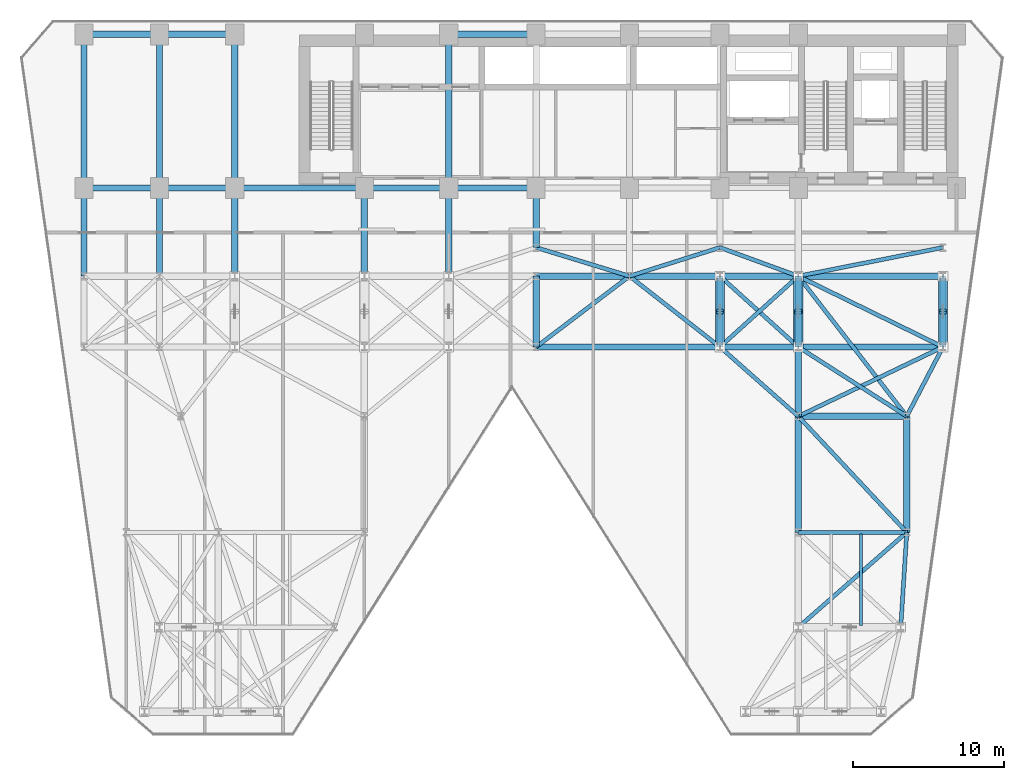
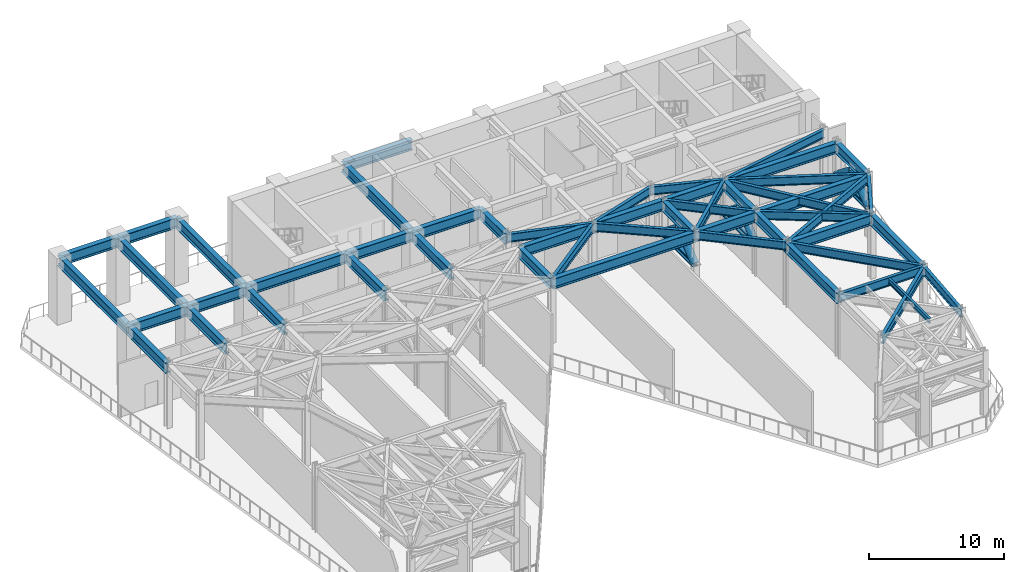
# One storey, part 3 of 12: 52 beams, 9 members.
"""IFC4 building model written with IfcOpenShell, lengths in metres."""

from ifc_helpers import new_model, si_unit, direction, frame, origin, origin_2d, place, context, subcontext, project, spatial, hollow_circle, i_section, extrude, material, material_profile, profile_set, type_object, element, save


model = new_model("IFC4")

# Units and contexts
model_context = context("Model", 3, precision=1e-05, world=origin(), true_north=direction((0.0, 1.0)))
body_context = subcontext(model_context, "Body", "Model", "MODEL_VIEW")
ifc_project = project(units=[si_unit("LENGTHUNIT", "METRE"), si_unit("AREAUNIT", "SQUARE_METRE"), si_unit("VOLUMEUNIT", "CUBIC_METRE"), si_unit("PLANEANGLEUNIT", "RADIAN"), si_unit("MASSUNIT", "GRAM", prefix="KILO")], contexts=[model_context])

# Site, building, storey
site_placement = place(None, origin())
site = spatial("IfcSite", under=ifc_project, at=site_placement, CompositionType="ELEMENT")
building_placement = place(site_placement, origin())
building = spatial("IfcBuilding", under=site, at=building_placement, Name="Kravanh Interchange Tower", CompositionType="ELEMENT")
storey_placement = place(building_placement, frame((0.0, 0.0, 85.5)))
storey = spatial("IfcBuildingStorey", under=building, at=storey_placement, Name="L20", CompositionType="ELEMENT", Elevation=85.5)

# Beams
ifc_material_1 = material(Name="Structural Steel S355", Category="steel")
ifc_material_profile_1 = material_profile(ifc_material_1, i_section(OverallWidth=0.41796875, OverallDepth=0.927001953125, WebThickness=0.019287109375, FlangeThickness=0.031982421875, FilletRadius=0.028076171875, at=origin_2d()), Name="W36X231")
ifc_profile_set_1 = profile_set([ifc_material_profile_1], Name="Structural Steel S355")
beam_type_1 = type_object("IfcBeamType", Name="Floor Beam W36X231 Structural Steel S355", PredefinedType="BEAM", material=ifc_profile_set_1)
beam_1_placement = place(storey_placement, frame((38.60009765625, 37.35009765625, 5.281494140625), z_axis=(0.0, -1.0, 0.0), x_axis=(1.0, 0.0, 0.0)))
element("IfcBeam", 1, at=beam_1_placement, inside=storey, type_object=beam_type_1, Name="L20 Primary Floor Girder 16", PredefinedType="BEAM", context=body_context, shape_type="SweptSolid", body=[
    extrude(i_section(OverallWidth=0.41796875, OverallDepth=0.927001953125, WebThickness=0.019287109375, FlangeThickness=0.031982421875, FilletRadius=0.028076171875, at=origin_2d()), origin(), (0.0, 0.0, 1.0), 3.9501953125),
])
for number, where, z_axis, x_axis, name in (
    (2, (38.60009765625, 37.35009765625, 5.281494140625), (-1.0, 0.0, 0.0), (0.0, -1.0, 0.0), "L20 Primary Floor Girder 17"),
    (3, (38.60009765625, 47.550048828125, 5.281494140625), (-1.0, 0.0, 0.0), (0.0, -1.0, 0.0), "L20 Primary Floor Girder 19"),
):
    element("IfcBeam", number, at=place(storey_placement, frame(where, z_axis=z_axis, x_axis=x_axis)), inside=storey, type_object=beam_type_1, Name=name, PredefinedType="BEAM", context=body_context, shape_type="SweptSolid", body=[
        extrude(i_section(OverallWidth=0.41796875, OverallDepth=0.927001953125, WebThickness=0.019287109375, FlangeThickness=0.031982421875, FilletRadius=0.028076171875, at=origin_2d()), origin(), (0.0, 0.0, 1.0), 5.800048828125),
    ])
beam_2_placement = place(storey_placement, frame((32.800048828125, 37.35009765625, 5.281494140625), z_axis=(-1.0, 0.0, 0.0), x_axis=(0.0, -1.0, 0.0)))
element("IfcBeam", 4, at=beam_2_placement, inside=storey, type_object=beam_type_1, Name="L20 Primary Floor Girder 20", PredefinedType="BEAM", context=body_context, shape_type="SweptSolid", body=[
    extrude(i_section(OverallWidth=0.41796875, OverallDepth=0.927001953125, WebThickness=0.019287109375, FlangeThickness=0.031982421875, FilletRadius=0.028076171875, at=origin_2d()), origin(), (0.0, 0.0, 1.0), 5.60009765625),
])
beam_3_placement = place(storey_placement, frame((32.800048828125, 37.35009765625, 5.281494140625), z_axis=(0.0, -1.0, 0.0), x_axis=(1.0, 0.0, 0.0)))
element("IfcBeam", 5, at=beam_3_placement, inside=storey, type_object=beam_type_1, Name="L20 Primary Floor Girder 21", PredefinedType="BEAM", context=body_context, shape_type="SweptSolid", body=[
    extrude(i_section(OverallWidth=0.41796875, OverallDepth=0.927001953125, WebThickness=0.019287109375, FlangeThickness=0.031982421875, FilletRadius=0.028076171875, at=origin_2d()), origin(), (0.0, 0.0, 1.0), 5.85009765625),
])
beam_4_placement = place(storey_placement, frame((32.800048828125, 37.35009765625, 5.281494140625), z_axis=(0.0, 1.0, 0.0), x_axis=(-1.0, 0.0, 0.0)))
element("IfcBeam", 6, at=beam_4_placement, inside=storey, type_object=beam_type_1, Name="L20 Primary Floor Girder 22", PredefinedType="BEAM", context=body_context, shape_type="SweptSolid", body=[
    extrude(i_section(OverallWidth=0.41796875, OverallDepth=0.927001953125, WebThickness=0.019287109375, FlangeThickness=0.031982421875, FilletRadius=0.028076171875, at=origin_2d()), origin(), (0.0, 0.0, 1.0), 10.199951171875),
])
beam_5_placement = place(storey_placement, frame((27.199951171875, 37.35009765625, 5.281494140625), z_axis=(0.0, -1.0, 0.0), x_axis=(1.0, 0.0, 0.0)))
element("IfcBeam", 7, at=beam_5_placement, inside=storey, type_object=beam_type_1, Name="L20 Primary Floor Girder 24", PredefinedType="BEAM", context=body_context, shape_type="SweptSolid", body=[
    extrude(i_section(OverallWidth=0.41796875, OverallDepth=0.927001953125, WebThickness=0.019287109375, FlangeThickness=0.031982421875, FilletRadius=0.028076171875, at=origin_2d()), origin(), (0.0, 0.0, 1.0), 5.85009765625),
])
beam_6_placement = place(storey_placement, frame((27.199951171875, 37.35009765625, 5.281494140625), z_axis=(-1.0, 0.0, 0.0), x_axis=(0.0, -1.0, 0.0)))
element("IfcBeam", 8, at=beam_6_placement, inside=storey, type_object=beam_type_1, Name="L20 Primary Floor Girder 25", PredefinedType="BEAM", context=body_context, shape_type="SweptSolid", body=[
    extrude(i_section(OverallWidth=0.41796875, OverallDepth=0.927001953125, WebThickness=0.019287109375, FlangeThickness=0.031982421875, FilletRadius=0.028076171875, at=origin_2d()), origin(), (0.0, 0.0, 1.0), 8.599853515625),
])
beam_7_placement = place(storey_placement, frame((18.60009765625, 37.35009765625, 5.281494140625), z_axis=(-1.0, 0.0, 0.0), x_axis=(0.0, -1.0, 0.0)))
element("IfcBeam", 9, at=beam_7_placement, inside=storey, type_object=beam_type_1, Name="L20 Primary Floor Girder 28", PredefinedType="BEAM", context=body_context, shape_type="SweptSolid", body=[
    extrude(i_section(OverallWidth=0.41796875, OverallDepth=0.927001953125, WebThickness=0.019287109375, FlangeThickness=0.031982421875, FilletRadius=0.028076171875, at=origin_2d()), origin(), (0.0, 0.0, 1.0), 5.0),
])
beam_8_placement = place(storey_placement, frame((18.60009765625, 37.35009765625, 5.281494140625), z_axis=(0.0, -1.0, 0.0), x_axis=(1.0, 0.0, 0.0)))
element("IfcBeam", 10, at=beam_8_placement, inside=storey, type_object=beam_type_1, Name="L20 Primary Floor Girder 29", PredefinedType="BEAM", context=body_context, shape_type="SweptSolid", body=[
    extrude(i_section(OverallWidth=0.41796875, OverallDepth=0.927001953125, WebThickness=0.019287109375, FlangeThickness=0.031982421875, FilletRadius=0.028076171875, at=origin_2d()), origin(), (0.0, 0.0, 1.0), 5.85009765625),
])
beam_9_placement = place(storey_placement, frame((18.60009765625, 37.35009765625, 5.281494140625), z_axis=(0.0, 1.0, 0.0), x_axis=(-1.0, 0.0, 0.0)))
element("IfcBeam", 11, at=beam_9_placement, inside=storey, type_object=beam_type_1, Name="L20 Primary Floor Girder 30", PredefinedType="BEAM", context=body_context, shape_type="SweptSolid", body=[
    extrude(i_section(OverallWidth=0.41796875, OverallDepth=0.927001953125, WebThickness=0.019287109375, FlangeThickness=0.031982421875, FilletRadius=0.028076171875, at=origin_2d()), origin(), (0.0, 0.0, 1.0), 10.199951171875),
])
for number, where, z_axis, x_axis, name in (
    (12, (18.60009765625, 47.550048828125, 5.281494140625), (-1.0, 0.0, 0.0), (0.0, -1.0, 0.0), "L20 Primary Floor Girder 31"),
    (13, (13.60009765625, 37.35009765625, 5.281494140625), (-1.0, 0.0, 0.0), (0.0, -1.0, 0.0), "L20 Primary Floor Girder 32"),
):
    element("IfcBeam", number, at=place(storey_placement, frame(where, z_axis=z_axis, x_axis=x_axis)), inside=storey, type_object=beam_type_1, Name=name, PredefinedType="BEAM", context=body_context, shape_type="SweptSolid", body=[
        extrude(i_section(OverallWidth=0.41796875, OverallDepth=0.927001953125, WebThickness=0.019287109375, FlangeThickness=0.031982421875, FilletRadius=0.028076171875, at=origin_2d()), origin(), (0.0, 0.0, 1.0), 5.0),
    ])
beam_10_placement = place(storey_placement, frame((13.60009765625, 37.35009765625, 5.281494140625), z_axis=(0.0, -1.0, 0.0), x_axis=(1.0, 0.0, 0.0)))
element("IfcBeam", 14, at=beam_10_placement, inside=storey, type_object=beam_type_1, Name="L20 Primary Floor Girder 33", PredefinedType="BEAM", context=body_context, shape_type="SweptSolid", body=[
    extrude(i_section(OverallWidth=0.41796875, OverallDepth=0.927001953125, WebThickness=0.019287109375, FlangeThickness=0.031982421875, FilletRadius=0.028076171875, at=origin_2d()), origin(), (0.0, 0.0, 1.0), 5.85009765625),
])
beam_11_placement = place(storey_placement, frame((13.60009765625, 37.35009765625, 5.281494140625), z_axis=(0.0, 1.0, 0.0), x_axis=(-1.0, 0.0, 0.0)))
element("IfcBeam", 15, at=beam_11_placement, inside=storey, type_object=beam_type_1, Name="L20 Primary Floor Girder 34", PredefinedType="BEAM", context=body_context, shape_type="SweptSolid", body=[
    extrude(i_section(OverallWidth=0.41796875, OverallDepth=0.927001953125, WebThickness=0.019287109375, FlangeThickness=0.031982421875, FilletRadius=0.028076171875, at=origin_2d()), origin(), (0.0, 0.0, 1.0), 10.199951171875),
])
beam_12_placement = place(storey_placement, frame((13.60009765625, 47.550048828125, 5.281494140625), z_axis=(-1.0, 0.0, 0.0), x_axis=(0.0, -1.0, 0.0)))
element("IfcBeam", 16, at=beam_12_placement, inside=storey, type_object=beam_type_1, Name="L20 Primary Floor Girder 35", PredefinedType="BEAM", context=body_context, shape_type="SweptSolid", body=[
    extrude(i_section(OverallWidth=0.41796875, OverallDepth=0.927001953125, WebThickness=0.019287109375, FlangeThickness=0.031982421875, FilletRadius=0.028076171875, at=origin_2d()), origin(), (0.0, 0.0, 1.0), 5.0),
])
beam_13_placement = place(storey_placement, frame((8.60009765625, 37.35009765625, 5.281494140625), z_axis=(0.0, -1.0, 0.0), x_axis=(1.0, 0.0, 0.0)))
element("IfcBeam", 17, at=beam_13_placement, inside=storey, type_object=beam_type_1, Name="L20 Primary Floor Girder 36", PredefinedType="BEAM", context=body_context, shape_type="SweptSolid", body=[
    extrude(i_section(OverallWidth=0.41796875, OverallDepth=0.927001953125, WebThickness=0.019287109375, FlangeThickness=0.031982421875, FilletRadius=0.028076171875, at=origin_2d()), origin(), (0.0, 0.0, 1.0), 5.85009765625),
])
beam_14_placement = place(storey_placement, frame((8.60009765625, 37.35009765625, 5.281494140625), z_axis=(0.0, 1.0, 0.0), x_axis=(-1.0, 0.0, 0.0)))
element("IfcBeam", 18, at=beam_14_placement, inside=storey, type_object=beam_type_1, Name="L20 Primary Floor Girder 37", PredefinedType="BEAM", context=body_context, shape_type="SweptSolid", body=[
    extrude(i_section(OverallWidth=0.41796875, OverallDepth=0.927001953125, WebThickness=0.019287109375, FlangeThickness=0.031982421875, FilletRadius=0.028076171875, at=origin_2d()), origin(), (0.0, 0.0, 1.0), 10.199951171875),
])
for number, where, z_axis, x_axis, name in (
    (19, (56.0, 14.5, 5.281494140625), (0.0, 1.0, 0.0), (-1.0, 0.0, 0.0), "L20 Primary Floor Girder 44"),
    (20, (63.199951171875, 14.5, 5.281494140625), (0.0, 1.0, 0.0), (-1.0, 0.0, 0.0), "L20 Primary Floor Girder 47"),
):
    element("IfcBeam", number, at=place(storey_placement, frame(where, z_axis=z_axis, x_axis=x_axis)), inside=storey, type_object=beam_type_1, Name=name, PredefinedType="BEAM", context=body_context, shape_type="SweptSolid", body=[
        extrude(i_section(OverallWidth=0.41796875, OverallDepth=0.927001953125, WebThickness=0.019287109375, FlangeThickness=0.031982421875, FilletRadius=0.028076171875, at=origin_2d()), origin(), (0.0, 0.0, 1.0), 7.699951171875),
    ])
beam_15_placement = place(storey_placement, frame((56.0, 22.199951171875, 5.281494140625), z_axis=(0.0, 1.0, 0.0), x_axis=(-1.0, 0.0, 0.0)))
element("IfcBeam", 21, at=beam_15_placement, inside=storey, type_object=beam_type_1, Name="L20 Primary Floor Girder 58", PredefinedType="BEAM", context=body_context, shape_type="SweptSolid", body=[
    extrude(i_section(OverallWidth=0.41796875, OverallDepth=0.927001953125, WebThickness=0.019287109375, FlangeThickness=0.031982421875, FilletRadius=0.028076171875, at=origin_2d()), origin(), (0.0, 0.0, 1.0), 4.60009765625),
])
beam_16_placement = place(storey_placement, frame((56.0, 22.199951171875, 5.281494140625), z_axis=(1.0, 0.0, 0.0), x_axis=(0.0, 1.0, 0.0)))
element("IfcBeam", 22, at=beam_16_placement, inside=storey, type_object=beam_type_1, Name="L20 Primary Floor Girder 60", PredefinedType="BEAM", context=body_context, shape_type="SweptSolid", body=[
    extrude(i_section(OverallWidth=0.41796875, OverallDepth=0.927001953125, WebThickness=0.019287109375, FlangeThickness=0.031982421875, FilletRadius=0.028076171875, at=origin_2d()), origin(), (0.0, 0.0, 1.0), 7.199951171875),
])
beam_17_placement = place(storey_placement, frame((38.60009765625, 26.800048828125, 5.281494140625), z_axis=(0.0, 1.0, 0.0), x_axis=(-1.0, 0.0, 0.0)))
element("IfcBeam", 23, at=beam_17_placement, inside=storey, type_object=beam_type_1, Name="L20 Primary Floor Girder 86", PredefinedType="BEAM", context=body_context, shape_type="SweptSolid", body=[
    extrude(i_section(OverallWidth=0.41796875, OverallDepth=0.927001953125, WebThickness=0.019287109375, FlangeThickness=0.031982421875, FilletRadius=0.028076171875, at=origin_2d()), origin(), (0.0, 0.0, 1.0), 4.699951171875),
])
beam_18_placement = place(storey_placement, frame((38.60009765625, 26.800048828125, 5.281494140625), z_axis=(1.0, 0.0, 0.0), x_axis=(0.0, 1.0, 0.0)))
element("IfcBeam", 24, at=beam_18_placement, inside=storey, type_object=beam_type_1, Name="L20 Primary Floor Girder 89", PredefinedType="BEAM", context=body_context, shape_type="SweptSolid", body=[
    extrude(i_section(OverallWidth=0.41796875, OverallDepth=0.927001953125, WebThickness=0.019287109375, FlangeThickness=0.031982421875, FilletRadius=0.028076171875, at=origin_2d()), origin(), (0.0, 0.0, 1.0), 12.199951171875),
])
beam_19_placement = place(storey_placement, frame((50.800048828125, 26.800048828125, 5.281494140625), z_axis=(0.0, 1.0, 0.0), x_axis=(-1.0, 0.0, 0.0)))
element("IfcBeam", 25, at=beam_19_placement, inside=storey, type_object=beam_type_1, Name="L20 Primary Floor Girder 90", PredefinedType="BEAM", context=body_context, shape_type="SweptSolid", body=[
    extrude(i_section(OverallWidth=0.41796875, OverallDepth=0.927001953125, WebThickness=0.019287109375, FlangeThickness=0.031982421875, FilletRadius=0.028076171875, at=origin_2d()), origin(), (0.0, 0.0, 1.0), 4.699951171875),
])
beam_20_placement = place(storey_placement, frame((50.800048828125, 26.800048828125, 5.281494140625), z_axis=(1.0, 0.0, 0.0), x_axis=(0.0, 1.0, 0.0)))
element("IfcBeam", 26, at=beam_20_placement, inside=storey, type_object=beam_type_1, Name="L20 Primary Floor Girder 91", PredefinedType="BEAM", context=body_context, shape_type="SweptSolid", body=[
    extrude(i_section(OverallWidth=0.41796875, OverallDepth=0.927001953125, WebThickness=0.019287109375, FlangeThickness=0.031982421875, FilletRadius=0.028076171875, at=origin_2d()), origin(), (0.0, 0.0, 1.0), 5.199951171875),
])
beam_21_placement = place(storey_placement, frame((56.0, 26.800048828125, 5.281494140625), z_axis=(0.0, 1.0, 0.0), x_axis=(-1.0, 0.0, 0.0)))
element("IfcBeam", 27, at=beam_21_placement, inside=storey, type_object=beam_type_1, Name="L20 Primary Floor Girder 94", PredefinedType="BEAM", context=body_context, shape_type="SweptSolid", body=[
    extrude(i_section(OverallWidth=0.41796875, OverallDepth=0.927001953125, WebThickness=0.019287109375, FlangeThickness=0.031982421875, FilletRadius=0.028076171875, at=origin_2d()), origin(), (0.0, 0.0, 1.0), 4.699951171875),
])
beam_22_placement = place(storey_placement, frame((56.0, 26.800048828125, 5.281494140625), z_axis=(1.0, 0.0, 0.0), x_axis=(0.0, 1.0, 0.0)))
element("IfcBeam", 28, at=beam_22_placement, inside=storey, type_object=beam_type_1, Name="L20 Primary Floor Girder 97", PredefinedType="BEAM", context=body_context, shape_type="SweptSolid", body=[
    extrude(i_section(OverallWidth=0.41796875, OverallDepth=0.927001953125, WebThickness=0.019287109375, FlangeThickness=0.031982421875, FilletRadius=0.028076171875, at=origin_2d()), origin(), (0.0, 0.0, 1.0), 9.60009765625),
])
beam_23_placement = place(storey_placement, frame((65.60009765625, 26.800048828125, 5.281494140625), z_axis=(0.0, 1.0, 0.0), x_axis=(-1.0, 0.0, 0.0)))
element("IfcBeam", 29, at=beam_23_placement, inside=storey, type_object=beam_type_1, Name="L20 Primary Floor Girder 98", PredefinedType="BEAM", context=body_context, shape_type="SweptSolid", body=[
    extrude(i_section(OverallWidth=0.41796875, OverallDepth=0.927001953125, WebThickness=0.019287109375, FlangeThickness=0.031982421875, FilletRadius=0.028076171875, at=origin_2d()), origin(), (0.0, 0.0, 1.0), 4.699951171875),
])
beam_24_placement = place(storey_placement, frame((38.60009765625, 31.5, 5.281494140625), z_axis=(1.0, 0.0, 0.0), x_axis=(0.0, 1.0, 0.0)))
element("IfcBeam", 30, at=beam_24_placement, inside=storey, type_object=beam_type_1, Name="L20 Primary Floor Girder 111", PredefinedType="BEAM", context=body_context, shape_type="SweptSolid", body=[
    extrude(i_section(OverallWidth=0.41796875, OverallDepth=0.927001953125, WebThickness=0.019287109375, FlangeThickness=0.031982421875, FilletRadius=0.028076171875, at=origin_2d()), origin(), (0.0, 0.0, 1.0), 6.199951171875),
])
beam_25_placement = place(storey_placement, frame((44.800048828125, 31.5, 5.281494140625), z_axis=(1.0, 0.0, 0.0), x_axis=(0.0, 1.0, 0.0)))
element("IfcBeam", 31, at=beam_25_placement, inside=storey, type_object=beam_type_1, Name="L20 Primary Floor Girder 113", PredefinedType="BEAM", context=body_context, shape_type="SweptSolid", body=[
    extrude(i_section(OverallWidth=0.41796875, OverallDepth=0.927001953125, WebThickness=0.019287109375, FlangeThickness=0.031982421875, FilletRadius=0.028076171875, at=origin_2d()), origin(), (0.0, 0.0, 1.0), 6.0),
])
beam_26_placement = place(storey_placement, frame((50.800048828125, 31.5, 5.281494140625), z_axis=(1.0, 0.0, 0.0), x_axis=(0.0, 1.0, 0.0)))
element("IfcBeam", 32, at=beam_26_placement, inside=storey, type_object=beam_type_1, Name="L20 Primary Floor Girder 116", PredefinedType="BEAM", context=body_context, shape_type="SweptSolid", body=[
    extrude(i_section(OverallWidth=0.41796875, OverallDepth=0.927001953125, WebThickness=0.019287109375, FlangeThickness=0.031982421875, FilletRadius=0.028076171875, at=origin_2d()), origin(), (0.0, 0.0, 1.0), 5.199951171875),
])
beam_27_placement = place(storey_placement, frame((56.0, 31.5, 5.281494140625), z_axis=(1.0, 0.0, 0.0), x_axis=(0.0, 1.0, 0.0)))
element("IfcBeam", 33, at=beam_27_placement, inside=storey, type_object=beam_type_1, Name="L20 Primary Floor Girder 119", PredefinedType="BEAM", context=body_context, shape_type="SweptSolid", body=[
    extrude(i_section(OverallWidth=0.41796875, OverallDepth=0.927001953125, WebThickness=0.019287109375, FlangeThickness=0.031982421875, FilletRadius=0.028076171875, at=origin_2d()), origin(), (0.0, 0.0, 1.0), 9.60009765625),
])
ifc_material_2 = material(Name="Structural Steel S355", Category="steel")
ifc_material_profile_2 = material_profile(ifc_material_2, i_section(OverallWidth=0.18994140625, OverallDepth=0.45703125, WebThickness=0.009033203125, FlangeThickness=0.014404296875, FilletRadius=0.01806640625, at=origin_2d()), Name="W18X50")
ifc_profile_set_2 = profile_set([ifc_material_profile_2], Name="Structural Steel S355")
beam_type_2 = type_object("IfcBeamType", Name="Floor Joist W18X50 Structural Steel S355", PredefinedType="JOIST", material=ifc_profile_set_2)
beam_28_placement = place(storey_placement, frame((60.169921875, 8.32861328125, 5.5166015625), z_axis=(0.0, 1.0, 0.0), x_axis=(-1.0, 0.0, 0.0)))
element("IfcBeam", 34, at=beam_28_placement, inside=storey, type_object=beam_type_2, Name="L20 Secondary Floor Joist 12", PredefinedType="JOIST", context=body_context, shape_type="SweptSolid", body=[
    extrude(i_section(OverallWidth=0.18994140625, OverallDepth=0.45703125, WebThickness=0.009033203125, FlangeThickness=0.014404296875, FilletRadius=0.01806640625, at=origin_2d()), origin(), (0.0, 0.0, 1.0), 6.04296875),
])
ifc_material_3 = material(Name="Structural Steel S355", Category="steel")
ifc_material_profile_3 = material_profile(ifc_material_3, i_section(OverallWidth=0.26708984375, OverallDepth=0.761962890625, WebThickness=0.014404296875, FlangeThickness=0.021484375, FilletRadius=0.02490234375, at=origin_2d()), Name="W30X116")
ifc_profile_set_3 = profile_set([ifc_material_profile_3], Name="Structural Steel S355")
beam_type_3 = type_object("IfcBeamType", Name="Floor Spandrel W30X116 Structural Steel S355", PredefinedType="SPANDREL", material=ifc_profile_set_3)
beam_29_placement = place(storey_placement, frame((56.0, 14.5, 5.364013671875), z_axis=(1.0, 0.0, 0.0), x_axis=(0.0, 1.0, 0.0)))
element("IfcBeam", 35, at=beam_29_placement, inside=storey, type_object=beam_type_3, Name="L20 Perimeter Spandrel 43", PredefinedType="SPANDREL", context=body_context, shape_type="SweptSolid", body=[
    extrude(i_section(OverallWidth=0.26708984375, OverallDepth=0.761962890625, WebThickness=0.014404296875, FlangeThickness=0.021484375, FilletRadius=0.02490234375, at=origin_2d()), origin(), (0.0, 0.0, 1.0), 7.199951171875),
])
beam_30_placement = place(storey_placement, frame((63.199951171875, 14.5, 5.364013671875), z_axis=(-0.063348576418, -0.99799146182, 0.0), x_axis=(0.99799146182, -0.063348576418, 0.0)))
element("IfcBeam", 36, at=beam_30_placement, inside=storey, type_object=beam_type_3, Name="L20 Perimeter Spandrel 46", PredefinedType="SPANDREL", context=body_context, shape_type="SweptSolid", body=[
    extrude(i_section(OverallWidth=0.26708984375, OverallDepth=0.761962890625, WebThickness=0.014404296875, FlangeThickness=0.021484375, FilletRadius=0.02490234375, at=origin_2d()), origin(), (0.0, 0.0, 1.0), 6.312744140625),
])
beam_31_placement = place(storey_placement, frame((63.199951171875, 14.5, 5.364013671875), z_axis=(-0.752571952274, -0.658510027752, 0.0), x_axis=(0.658510027752, -0.752571952274, 0.0)))
element("IfcBeam", 37, at=beam_31_placement, inside=storey, type_object=beam_type_3, Name="L20 Perimeter Spandrel 48", PredefinedType="SPANDREL", context=body_context, shape_type="SweptSolid", body=[
    extrude(i_section(OverallWidth=0.26708984375, OverallDepth=0.761962890625, WebThickness=0.014404296875, FlangeThickness=0.021484375, FilletRadius=0.02490234375, at=origin_2d()), origin(), (0.0, 0.0, 1.0), 9.567138671875),
])
beam_32_placement = place(storey_placement, frame((63.199951171875, 14.5, 5.364013671875), z_axis=(-0.682993762113, 0.73042420614, 0.0), x_axis=(-0.73042420614, -0.682993762113, 0.0)))
element("IfcBeam", 38, at=beam_32_placement, inside=storey, type_object=beam_type_3, Name="L20 Perimeter Spandrel 49", PredefinedType="SPANDREL", context=body_context, shape_type="SweptSolid", body=[
    extrude(i_section(OverallWidth=0.26708984375, OverallDepth=0.761962890625, WebThickness=0.014404296875, FlangeThickness=0.021484375, FilletRadius=0.02490234375, at=origin_2d()), origin(), (0.0, 0.0, 1.0), 10.541748046875),
])
beam_33_placement = place(storey_placement, frame((56.0, 22.199951171875, 5.364013671875), z_axis=(-0.74898649432, 0.662585263439, 0.0), x_axis=(-0.662585263439, -0.74898649432, 0.0)))
element("IfcBeam", 39, at=beam_33_placement, inside=storey, type_object=beam_type_3, Name="L20 Perimeter Spandrel 59", PredefinedType="SPANDREL", context=body_context, shape_type="SweptSolid", body=[
    extrude(i_section(OverallWidth=0.26708984375, OverallDepth=0.761962890625, WebThickness=0.014404296875, FlangeThickness=0.021484375, FilletRadius=0.02490234375, at=origin_2d()), origin(), (0.0, 0.0, 1.0), 6.942626953125),
])
beam_34_placement = place(storey_placement, frame((56.0, 22.199951171875, 5.364013671875), z_axis=(0.901814166789, 0.432124066188, 0.0), x_axis=(-0.432124066188, 0.901814166789, 0.0)))
element("IfcBeam", 40, at=beam_34_placement, inside=storey, type_object=beam_type_3, Name="L20 Perimeter Spandrel 61", PredefinedType="SPANDREL", context=body_context, shape_type="SweptSolid", body=[
    extrude(i_section(OverallWidth=0.26708984375, OverallDepth=0.761962890625, WebThickness=0.014404296875, FlangeThickness=0.021484375, FilletRadius=0.02490234375, at=origin_2d()), origin(), (0.0, 0.0, 1.0), 10.645263671875),
])
beam_35_placement = place(storey_placement, frame((63.199951171875, 22.199951171875, 5.364013671875), z_axis=(0.462580479178, 0.886577295155, 0.0), x_axis=(-0.886577295155, 0.462580479178, 0.0)))
element("IfcBeam", 41, at=beam_35_placement, inside=storey, type_object=beam_type_3, Name="L20 Perimeter Spandrel 62", PredefinedType="SPANDREL", context=body_context, shape_type="SweptSolid", body=[
    extrude(i_section(OverallWidth=0.26708984375, OverallDepth=0.761962890625, WebThickness=0.014404296875, FlangeThickness=0.021484375, FilletRadius=0.02490234375, at=origin_2d()), origin(), (0.0, 0.0, 1.0), 5.188720703125),
])
beam_36_placement = place(storey_placement, frame((63.199951171875, 22.199951171875, 5.364013671875), z_axis=(-0.842689417531, 0.53839998661, 0.0), x_axis=(-0.53839998661, -0.842689417531, 0.0)))
element("IfcBeam", 42, at=beam_36_placement, inside=storey, type_object=beam_type_3, Name="L20 Perimeter Spandrel 63", PredefinedType="SPANDREL", context=body_context, shape_type="SweptSolid", body=[
    extrude(i_section(OverallWidth=0.26708984375, OverallDepth=0.761962890625, WebThickness=0.014404296875, FlangeThickness=0.021484375, FilletRadius=0.02490234375, at=origin_2d()), origin(), (0.0, 0.0, 1.0), 8.5439453125),
])
beam_37_placement = place(storey_placement, frame((63.199951171875, 22.199951171875, 5.364013671875), z_axis=(-0.612168587637, 0.790727273028, 0.0), x_axis=(-0.790727273028, -0.612168587637, 0.0)))
element("IfcBeam", 43, at=beam_37_placement, inside=storey, type_object=beam_type_3, Name="L20 Perimeter Spandrel 65", PredefinedType="SPANDREL", context=body_context, shape_type="SweptSolid", body=[
    extrude(i_section(OverallWidth=0.26708984375, OverallDepth=0.761962890625, WebThickness=0.014404296875, FlangeThickness=0.021484375, FilletRadius=0.02490234375, at=origin_2d()), origin(), (0.0, 0.0, 1.0), 11.761474609375),
])
beam_38_placement = place(storey_placement, frame((38.60009765625, 26.800048828125, 5.364013671875), z_axis=(0.796905365509, 0.604104161898, 0.0), x_axis=(-0.604104161898, 0.796905365509, 0.0)))
element("IfcBeam", 44, at=beam_38_placement, inside=storey, type_object=beam_type_3, Name="L20 Perimeter Spandrel 88", PredefinedType="SPANDREL", context=body_context, shape_type="SweptSolid", body=[
    extrude(i_section(OverallWidth=0.26708984375, OverallDepth=0.761962890625, WebThickness=0.014404296875, FlangeThickness=0.021484375, FilletRadius=0.02490234375, at=origin_2d()), origin(), (0.0, 0.0, 1.0), 7.780029296875),
])
beam_39_placement = place(storey_placement, frame((50.800048828125, 26.800048828125, 5.364013671875), z_axis=(0.741874009795, 0.670539300557, 0.0), x_axis=(-0.670539300557, 0.741874009795, 0.0)))
element("IfcBeam", 45, at=beam_39_placement, inside=storey, type_object=beam_type_3, Name="L20 Perimeter Spandrel 92", PredefinedType="SPANDREL", context=body_context, shape_type="SweptSolid", body=[
    extrude(i_section(OverallWidth=0.26708984375, OverallDepth=0.761962890625, WebThickness=0.014404296875, FlangeThickness=0.021484375, FilletRadius=0.02490234375, at=origin_2d()), origin(), (0.0, 0.0, 1.0), 7.00927734375),
])
beam_40_placement = place(storey_placement, frame((50.800048828125, 26.800048828125, 5.364013671875), z_axis=(-0.787231163579, 0.616658004967, 0.0), x_axis=(-0.616658004967, -0.787231163579, 0.0)))
element("IfcBeam", 46, at=beam_40_placement, inside=storey, type_object=beam_type_3, Name="L20 Perimeter Spandrel 93", PredefinedType="SPANDREL", context=body_context, shape_type="SweptSolid", body=[
    extrude(i_section(OverallWidth=0.26708984375, OverallDepth=0.761962890625, WebThickness=0.014404296875, FlangeThickness=0.021484375, FilletRadius=0.02490234375, at=origin_2d()), origin(), (0.0, 0.0, 1.0), 7.62158203125),
])
beam_41_placement = place(storey_placement, frame((56.0, 26.800048828125, 5.364013671875), z_axis=(-0.741874009795, 0.670539300557, 0.0), x_axis=(-0.670539300557, -0.741874009795, 0.0)))
element("IfcBeam", 47, at=beam_41_placement, inside=storey, type_object=beam_type_3, Name="L20 Perimeter Spandrel 95", PredefinedType="SPANDREL", context=body_context, shape_type="SweptSolid", body=[
    extrude(i_section(OverallWidth=0.26708984375, OverallDepth=0.761962890625, WebThickness=0.014404296875, FlangeThickness=0.021484375, FilletRadius=0.02490234375, at=origin_2d()), origin(), (0.0, 0.0, 1.0), 7.00927734375),
])
beam_42_placement = place(storey_placement, frame((65.60009765625, 26.800048828125, 5.364013671875), z_axis=(-0.898141688387, 0.439706160499, 0.0), x_axis=(-0.439706160499, -0.898141688387, 0.0)))
element("IfcBeam", 48, at=beam_42_placement, inside=storey, type_object=beam_type_3, Name="L20 Perimeter Spandrel 99", PredefinedType="SPANDREL", context=body_context, shape_type="SweptSolid", body=[
    extrude(i_section(OverallWidth=0.26708984375, OverallDepth=0.761962890625, WebThickness=0.014404296875, FlangeThickness=0.021484375, FilletRadius=0.02490234375, at=origin_2d()), origin(), (0.0, 0.0, 1.0), 10.68896484375),
])
beam_43_placement = place(storey_placement, frame((44.800048828125, 31.5, 5.364013671875), z_axis=(0.953346691051, 0.301877602122, 0.0), x_axis=(-0.301877602122, 0.953346691051, 0.0)))
element("IfcBeam", 49, at=beam_43_placement, inside=storey, type_object=beam_type_3, Name="L20 Perimeter Spandrel 114", PredefinedType="SPANDREL", context=body_context, shape_type="SweptSolid", body=[
    extrude(i_section(OverallWidth=0.26708984375, OverallDepth=0.761962890625, WebThickness=0.014404296875, FlangeThickness=0.021484375, FilletRadius=0.02490234375, at=origin_2d()), origin(), (0.0, 0.0, 1.0), 6.293701171875),
])
beam_44_placement = place(storey_placement, frame((44.800048828125, 31.5, 5.364013671875), z_axis=(-0.956115397264, 0.292990353279, 0.0), x_axis=(-0.292990353279, -0.956115397264, 0.0)))
element("IfcBeam", 50, at=beam_44_placement, inside=storey, type_object=beam_type_3, Name="L20 Perimeter Spandrel 115", PredefinedType="SPANDREL", context=body_context, shape_type="SweptSolid", body=[
    extrude(i_section(OverallWidth=0.26708984375, OverallDepth=0.761962890625, WebThickness=0.014404296875, FlangeThickness=0.021484375, FilletRadius=0.02490234375, at=origin_2d()), origin(), (0.0, 0.0, 1.0), 6.484619140625),
])
beam_45_placement = place(storey_placement, frame((56.0, 31.5, 5.364013671875), z_axis=(-0.93926957103, 0.343180233896, 0.0), x_axis=(-0.343180233896, -0.93926957103, 0.0)))
element("IfcBeam", 51, at=beam_45_placement, inside=storey, type_object=beam_type_3, Name="L20 Perimeter Spandrel 118", PredefinedType="SPANDREL", context=body_context, shape_type="SweptSolid", body=[
    extrude(i_section(OverallWidth=0.26708984375, OverallDepth=0.761962890625, WebThickness=0.014404296875, FlangeThickness=0.021484375, FilletRadius=0.02490234375, at=origin_2d()), origin(), (0.0, 0.0, 1.0), 5.5361328125),
])
beam_46_placement = place(storey_placement, frame((56.0, 31.5, 5.364013671875), z_axis=(0.980974000807, 0.194139150457, 0.0), x_axis=(-0.194139150457, 0.980974000807, 0.0)))
element("IfcBeam", 52, at=beam_46_placement, inside=storey, type_object=beam_type_3, Name="L20 Perimeter Spandrel 120", PredefinedType="SPANDREL", context=body_context, shape_type="SweptSolid", body=[
    extrude(i_section(OverallWidth=0.26708984375, OverallDepth=0.761962890625, WebThickness=0.014404296875, FlangeThickness=0.021484375, FilletRadius=0.02490234375, at=origin_2d()), origin(), (0.0, 0.0, 1.0), 9.786376953125),
])

# Members
ifc_material_4 = material(Name="Structural Steel S450", Category="steel")
ifc_material_profile_4 = material_profile(ifc_material_4, i_section(OverallWidth=0.431884765625, OverallDepth=0.498046875, WebThickness=0.0556640625, FlangeThickness=0.0888671875, FilletRadius=0.030029296875, at=origin_2d()), Name="W14X500")
ifc_profile_set_4 = profile_set([ifc_material_profile_4], Name="Structural Steel S450")
member_type_1 = type_object("IfcMemberType", Name="Outrigger Truss Chord W14X500 Structural Steel S450", PredefinedType="CHORD", material=ifc_profile_set_4)
for number, where, z_axis, x_axis, name in (
    (53, (50.800048828125, 31.5, 2.75), (0.0, -1.0, 0.0), (1.0, 0.0, 0.0), "L20 OUTRIGGER TRUSS BOTTOM CHORD 4"),
    (54, (56.0, 31.5, 2.75), (0.0, -1.0, 0.0), (1.0, 0.0, 0.0), "L20 OUTRIGGER TRUSS BOTTOM CHORD 5"),
    (55, (65.60009765625, 31.5, 2.75), (0.0, -1.0, 0.0), (1.0, 0.0, 0.0), "L20 OUTRIGGER TRUSS BOTTOM CHORD 6"),
):
    element("IfcMember", number, at=place(storey_placement, frame(where, z_axis=z_axis, x_axis=x_axis)), inside=storey, type_object=member_type_1, Name=name, PredefinedType="CHORD", context=body_context, shape_type="SweptSolid", body=[
        extrude(i_section(OverallWidth=0.431884765625, OverallDepth=0.498046875, WebThickness=0.0556640625, FlangeThickness=0.0888671875, FilletRadius=0.030029296875, at=origin_2d()), origin(), (0.0, 0.0, 1.0), 4.699951171875),
    ])
ifc_material_5 = material(Name="Structural Steel S450", Category="steel")
ifc_material_profile_5 = material_profile(ifc_material_5, hollow_circle(Radius=0.304931640625, WallThickness=0.02490234375, at=origin_2d()), Name="CHS610X25")
ifc_profile_set_5 = profile_set([ifc_material_profile_5], Name="Structural Steel S450")
member_type_2 = type_object("IfcMemberType", Name="Outrigger Truss Diagonal CHS610X25 Structural Steel S450", PredefinedType="USERDEFINED", material=ifc_profile_set_5)
for number, where, z_axis, x_axis, name in (
    (56, (50.800048828125, 31.5, 2.75), (0.0, -0.786091586315, 0.618110037068), (1.0, 0.0, 0.0), "L20 OUTRIGGER TRUSS DIAGONAL 4A"),
    (57, (50.800048828125, 26.800048828125, 2.75), (0.0, 0.786060383002, 0.618149718332), (-1.0, 0.0, 0.0), "L20 OUTRIGGER TRUSS DIAGONAL 4B"),
    (58, (56.0, 31.5, 2.75), (0.0, -0.786091586315, 0.618110037068), (1.0, 0.0, 0.0), "L20 OUTRIGGER TRUSS DIAGONAL 5A"),
    (59, (56.0, 26.800048828125, 2.75), (0.0, 0.786060383002, 0.618149718332), (-1.0, 0.0, 0.0), "L20 OUTRIGGER TRUSS DIAGONAL 5B"),
    (60, (65.60009765625, 31.5, 2.75), (0.0, -0.786091586315, 0.618110037068), (1.0, 0.0, 0.0), "L20 OUTRIGGER TRUSS DIAGONAL 6A"),
    (61, (65.60009765625, 26.800048828125, 2.75), (0.0, 0.786060383002, 0.618149718332), (-1.0, 0.0, 0.0), "L20 OUTRIGGER TRUSS DIAGONAL 6B"),
):
    element("IfcMember", number, at=place(storey_placement, frame(where, z_axis=z_axis, x_axis=x_axis)), inside=storey, type_object=member_type_2, Name=name, ObjectType="OUTRIGGER", PredefinedType="USERDEFINED", context=body_context, shape_type="SweptSolid", body=[
        extrude(hollow_circle(Radius=0.304931640625, WallThickness=0.02490234375, at=origin_2d()), origin(), (0.0, 0.0, 1.0), 2.989501953125),
    ])

save(model, "model.ifc")
